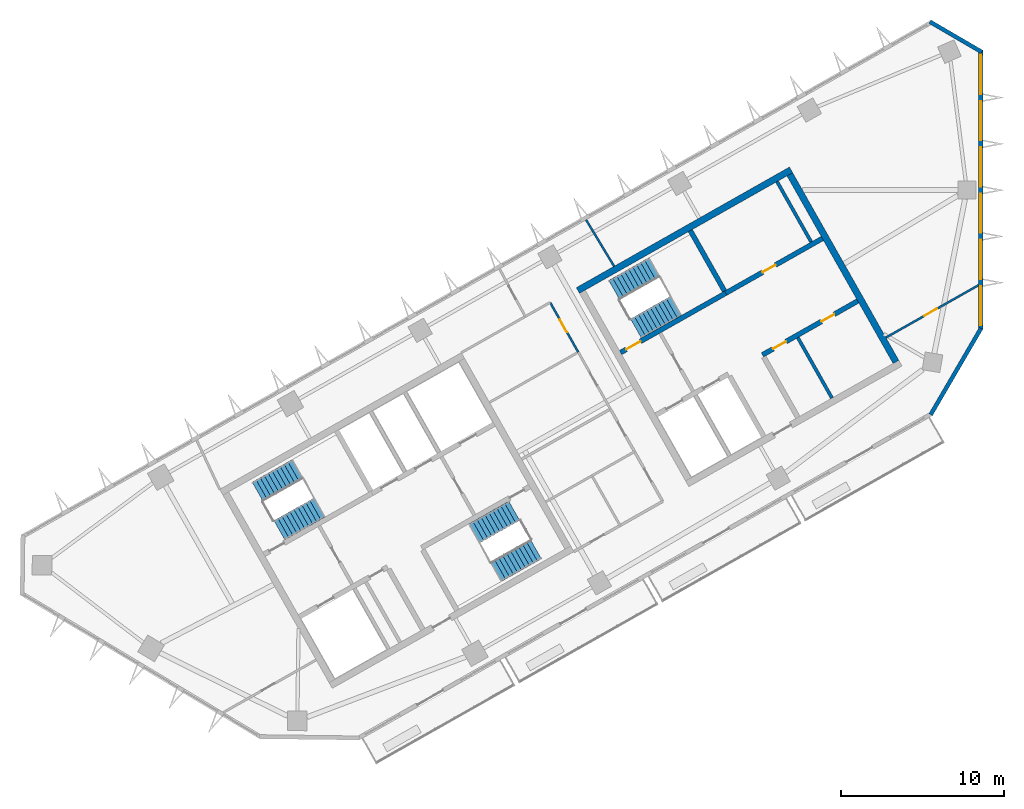
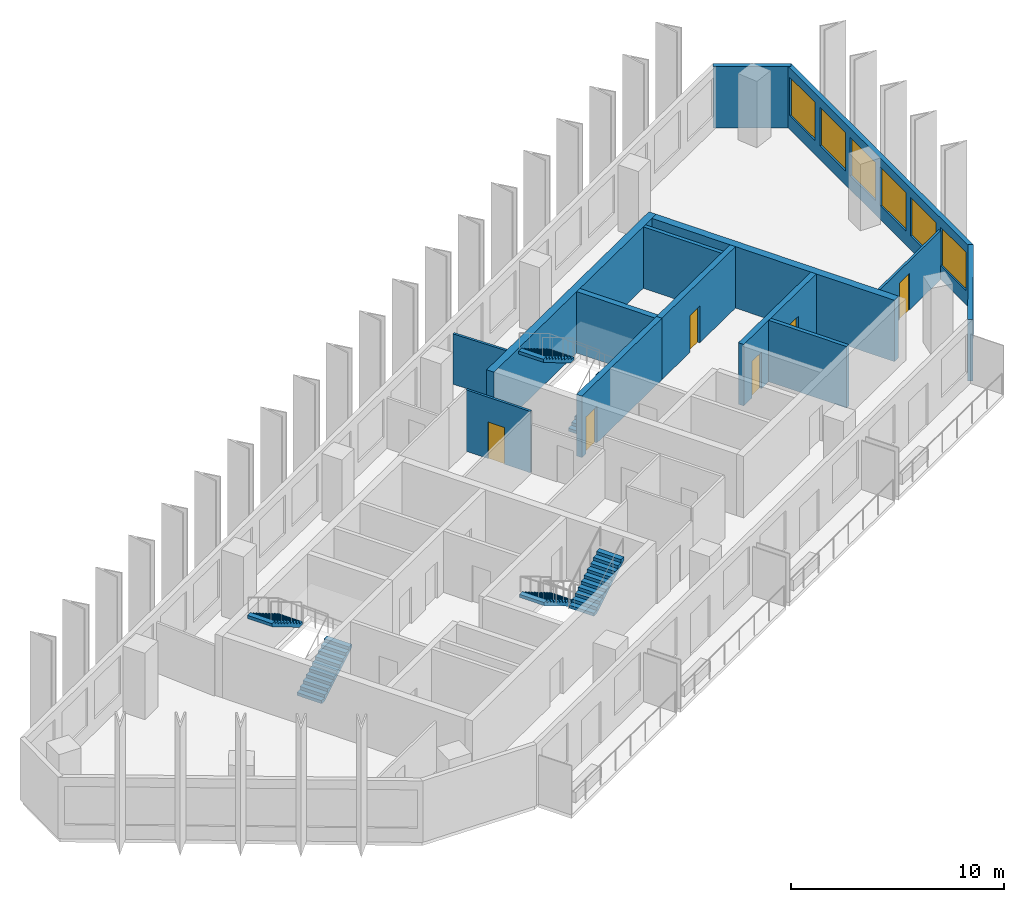
# One storey, part 5 of 8: 14 walls, 6 doors, 6 stair flights, 6 windows, 12 openings, 3 elements without a shape of their own.
"""IFC4 building model written with IfcOpenShell, lengths in metres."""

from ifc_helpers import new_model, si_unit, direction, frame, frame_2d, origin, place, context, subcontext, project, spatial, polyline, rectangle, outline, extrude, material, layer, layer_set, type_object, element, fill, aggregate, save


model = new_model("IFC4")

# Units and contexts
model_context = context("Model", 3, precision=1e-05, world=origin(), true_north=direction((0.0, 1.0)))
body_context = subcontext(model_context, "Body", "Model", "MODEL_VIEW")
ifc_project = project(units=[si_unit("LENGTHUNIT", "METRE"), si_unit("AREAUNIT", "SQUARE_METRE"), si_unit("VOLUMEUNIT", "CUBIC_METRE"), si_unit("PLANEANGLEUNIT", "RADIAN"), si_unit("MASSUNIT", "GRAM", prefix="KILO")], contexts=[model_context])

# Site, building, storey
site_placement = place(None, origin())
site = spatial("IfcSite", under=ifc_project, at=site_placement, CompositionType="ELEMENT")
building_placement = place(site_placement, origin())
building = spatial("IfcBuilding", under=site, at=building_placement, Name="Binnacle Exchange Tower", CompositionType="ELEMENT")
storey_placement = place(building_placement, frame((0.0, 0.0, 270.300048828125)))
storey = spatial("IfcBuildingStorey", under=building, at=storey_placement, Name="L60", CompositionType="ELEMENT", Elevation=270.300048828125)

# Wall
ifc_material_1 = material(Name="Gypsum partition fire rated")
ifc_layer_1 = layer(ifc_material_1, 0.199951171875)
ifc_layer_set_1 = layer_set([ifc_layer_1], Name="Core partition 200")
wall_type_1 = type_object("IfcWallType", Name="Core partition 200", PredefinedType="PARTITIONING", material=ifc_layer_set_1)
wall_1_placement = place(storey_placement, frame((-11.201904296875, 50.96240234375, 0.0), z_axis=(0.0, 0.0, 1.0), x_axis=(0.492441437811, -0.870345580977, 0.0)))
element("IfcWall", 1, at=wall_1_placement, inside=storey, type_object=wall_type_1, Name="Core wall CRWC19", PredefinedType="PARTITIONING", context=body_context, shape_type="SweptSolid", body=[
    extrude(rectangle(XDim=4.250244140625, YDim=0.199951171875, at=frame_2d((2.125, 0.0))), origin(), (0.0, 0.0, 1.0), 3.52001953125),
])

# Wall, openings, doors
ifc_material_2 = material(Name="Concrete C70/85", Category="concrete")
ifc_layer_2 = layer(ifc_material_2, 0.300048828125)
ifc_layer_set_2 = layer_set([ifc_layer_2], Name="Core wall - front 300")
wall_type_2 = type_object("IfcWallType", Name="Core wall - front 300", PredefinedType="SOLIDWALL", material=ifc_layer_set_2)
wall_2_placement = place(storey_placement, frame((-13.364501953125, 49.910888671875, 0.0), z_axis=(0.0, 0.0, 1.0), x_axis=(0.870347618718, 0.492437836272, 0.0)))
wall_2 = element("IfcWall", 2, at=wall_2_placement, inside=storey, type_object=wall_type_2, Name="Core wall CRWC3", PredefinedType="SOLIDWALL", context=body_context, shape_type="SweptSolid", body=[
    extrude(rectangle(XDim=6.699951171875, YDim=0.300048828125, at=frame_2d((3.35009765625, 0.0))), origin(), (0.0, 0.0, 1.0), 3.52001953125),
])
opening_1_placement = place(wall_2_placement, frame((0.75, 0.0, 0.0)))
opening_1 = element("IfcOpeningElement", 3, at=opening_1_placement, cuts=wall_2, Name="Opening DC18", PredefinedType="OPENING", context=body_context, shape_type="SweptSolid", body=[
    extrude(rectangle(XDim=0.89990234375, YDim=2.10009765625, at=frame_2d((0.449951171875, 1.050048828125))), frame((0.0, 0.159912109375, 0.0), z_axis=(0.0, -1.0, 0.0), x_axis=(1.0, 0.0, 0.0)), (0.0, 0.0, 1.0), 0.320068359375),
])
opening_2_placement = place(wall_2_placement, frame((4.14990234375, 0.0, 0.0)))
opening_2 = element("IfcOpeningElement", 4, at=opening_2_placement, cuts=wall_2, Name="Opening DC19", PredefinedType="OPENING", context=body_context, shape_type="SweptSolid", body=[
    extrude(rectangle(XDim=0.89990234375, YDim=2.10009765625, at=frame_2d((0.449951171875, 1.050048828125))), frame((0.0, 0.159912109375, 0.0), z_axis=(0.0, -1.0, 0.0), x_axis=(1.0, 0.0, 0.0)), (0.0, 0.0, 1.0), 0.320068359375),
])
ifc_material_3 = material(Name="Steel door leaf", Category="steel")
door_type_1 = type_object("IfcDoorType", Name="Fire door 900", OperationType="NOTDEFINED", PredefinedType="DOOR", material=ifc_material_3)
door_1_placement = place(opening_1_placement, frame((0.89990234375, 0.0, 0.0), z_axis=(0.0, 0.0, 1.0), x_axis=(-1.0, 0.0, 0.0)))
door_1 = element("IfcDoor", 5, at=door_1_placement, inside=storey, type_object=door_type_1, Name="Core room door FIBRE ENTRY ROOM", OperationType="SINGLE_SWING_RIGHT", OverallHeight=2.10009765625, OverallWidth=0.89990234375, PredefinedType="DOOR", context=body_context, shape_type="SweptSolid", body=[
    extrude(rectangle(XDim=0.89990234375, YDim=2.10009765625, at=frame_2d((0.449951171875, 1.050048828125))), frame((0.0, 0.02490234375, 0.0), z_axis=(0.0, -1.0, 0.0), x_axis=(1.0, 0.0, 0.0)), (0.0, 0.0, 1.0), 0.050048828125),
])
fill(opening_1, door_1)
door_2_placement = place(opening_2_placement, frame((0.89990234375, 0.0, 0.0), z_axis=(0.0, 0.0, 1.0), x_axis=(-1.0, 0.0, 0.0)))
door_2 = element("IfcDoor", 6, at=door_2_placement, inside=storey, type_object=door_type_1, Name="Core room door TELECOM RISER ROOM", OperationType="SINGLE_SWING_LEFT", OverallHeight=2.10009765625, OverallWidth=0.89990234375, PredefinedType="DOOR", context=body_context, shape_type="SweptSolid", body=[
    extrude(rectangle(XDim=0.89990234375, YDim=2.10009765625, at=frame_2d((0.449951171875, 1.050048828125))), frame((0.0, 0.02490234375, 0.0), z_axis=(0.0, -1.0, 0.0), x_axis=(1.0, 0.0, 0.0)), (0.0, 0.0, 1.0), 0.050048828125),
])
fill(opening_2, door_2)

# Wall, opening, door
wall_3_placement = place(storey_placement, frame((-15.6181640625, 53.69140625, 0.0), z_axis=(0.0, 0.0, 1.0), x_axis=(0.870362830851, 0.492410948978, 0.0)))
wall_3 = element("IfcWall", 7, at=wall_3_placement, inside=storey, type_object=wall_type_2, Name="Core wall CRWC5", PredefinedType="SOLIDWALL", context=body_context, shape_type="SweptSolid", body=[
    extrude(rectangle(XDim=6.800048828125, YDim=0.300048828125, at=frame_2d((3.39990234375, 0.0))), origin(), (0.0, 0.0, 1.0), 3.52001953125),
])
opening_3_placement = place(wall_3_placement, frame((2.60009765625, 0.0, 0.0)))
opening_3 = element("IfcOpeningElement", 8, at=opening_3_placement, cuts=wall_3, Name="Opening DC10", PredefinedType="OPENING", context=body_context, shape_type="SweptSolid", body=[
    extrude(rectangle(XDim=0.89990234375, YDim=2.10009765625, at=frame_2d((0.449951171875, 1.050048828125))), frame((0.0, 0.159912109375, 0.0), z_axis=(0.0, -1.0, 0.0), x_axis=(1.0, 0.0, 0.0)), (0.0, 0.0, 1.0), 0.320068359375),
])
door_3_placement = place(opening_3_placement, origin())
door_3 = element("IfcDoor", 9, at=door_3_placement, inside=storey, type_object=door_type_1, Name="Core room door WORKSHOP STORE", OperationType="SINGLE_SWING_LEFT", OverallHeight=2.10009765625, OverallWidth=0.89990234375, PredefinedType="DOOR", context=body_context, shape_type="SweptSolid", body=[
    extrude(rectangle(XDim=0.89990234375, YDim=2.10009765625, at=frame_2d((0.449951171875, 1.050048828125))), frame((0.0, 0.02490234375, 0.0), z_axis=(0.0, -1.0, 0.0), x_axis=(1.0, 0.0, 0.0)), (0.0, 0.0, 1.0), 0.050048828125),
])
fill(opening_3, door_3)

# Walls
ifc_layer_3 = layer(ifc_material_2, 0.39990234375)
ifc_layer_set_3 = layer_set([ifc_layer_3], Name="Core wall - outer 400")
wall_type_3 = type_object("IfcWallType", Name="Core wall - outer 400", PredefinedType="SOLIDWALL", material=ifc_layer_set_3)
wall_4_placement = place(storey_placement, frame((-24.672119140625, 53.85400390625, 0.0), z_axis=(0.0, 0.0, 1.0), x_axis=(0.870353598469, 0.492427267353, 0.0)))
element("IfcWall", 10, at=wall_4_placement, inside=storey, type_object=wall_type_3, Name="Core wall CRWC6", PredefinedType="SOLIDWALL", context=body_context, shape_type="SweptSolid", body=[
    extrude(rectangle(XDim=15.000244140625, YDim=0.39990234375, at=frame_2d((7.5, 0.0))), origin(), (0.0, 0.0, 1.0), 3.52001953125),
])
wall_5_placement = place(storey_placement, frame((-11.6923828125, 60.968017578125, 0.0), z_axis=(0.0, 0.0, 1.0), x_axis=(0.492421663121, -0.870356769198, 0.0)))
element("IfcWall", 11, at=wall_5_placement, inside=storey, type_object=wall_type_3, Name="Core wall CRWC24", PredefinedType="SOLIDWALL", context=body_context, shape_type="SweptSolid", body=[
    extrude(rectangle(XDim=13.199951171875, YDim=0.39990234375, at=frame_2d((6.60009765625, 0.0))), origin(), (0.0, 0.0, 1.0), 3.52001953125),
])

# Wall, opening, door
ifc_layer_4 = layer(ifc_material_2, 0.300048828125)
ifc_layer_set_4 = layer_set([ifc_layer_4], Name="Core wall - stair 300")
wall_type_4 = type_object("IfcWallType", Name="Core wall - stair 300", PredefinedType="SOLIDWALL", material=ifc_layer_set_4)
wall_6_placement = place(storey_placement, frame((-22.058837890625, 50.04736328125, 0.0), z_axis=(0.0, 0.0, 1.0), x_axis=(0.87035077051, 0.49243226567, 0.0)))
wall_6 = element("IfcWall", 12, at=wall_6_placement, inside=storey, type_object=wall_type_4, Name="Core wall CRWC4", PredefinedType="SOLIDWALL", context=body_context, shape_type="SweptSolid", body=[
    extrude(rectangle(XDim=7.400146484375, YDim=0.300048828125, at=frame_2d((3.7001953125, 0.0))), origin(), (0.0, 0.0, 1.0), 3.52001953125),
])
opening_4_placement = place(wall_6_placement, frame((0.39990234375, 0.0, 0.0)))
opening_4 = element("IfcOpeningElement", 13, at=opening_4_placement, cuts=wall_6, Name="Opening DC1", PredefinedType="OPENING", context=body_context, shape_type="SweptSolid", body=[
    extrude(rectangle(XDim=1.0, YDim=2.10009765625, at=frame_2d((0.5, 1.050048828125))), frame((0.0, 0.159912109375, 0.0), z_axis=(0.0, -1.0, 0.0), x_axis=(1.0, 0.0, 0.0)), (0.0, 0.0, 1.0), 0.320068359375),
])
door_type_2 = type_object("IfcDoorType", Name="Fire door 1000", OperationType="NOTDEFINED", PredefinedType="DOOR", material=ifc_material_3)
door_4_placement = place(opening_4_placement, origin())
door_4 = element("IfcDoor", 14, at=door_4_placement, inside=storey, type_object=door_type_2, Name="Stair door ST-C1", OperationType="SINGLE_SWING_LEFT", OverallHeight=2.10009765625, OverallWidth=1.0, PredefinedType="DOOR", context=body_context, shape_type="SweptSolid", body=[
    extrude(rectangle(XDim=1.0, YDim=2.10009765625, at=frame_2d((0.5, 1.050048828125))), frame((0.0, 0.02490234375, 0.0), z_axis=(0.0, -1.0, 0.0), x_axis=(1.0, 0.0, 0.0)), (0.0, 0.0, 1.0), 0.050048828125),
])
fill(opening_4, door_4)

# Walls
wall_7_placement = place(storey_placement, frame((-17.784912109375, 57.52099609375, 0.0), z_axis=(0.0, 0.0, 1.0), x_axis=(0.492422543467, -0.870356271124, 0.0)))
element("IfcWall", 15, at=wall_7_placement, inside=storey, type_object=wall_type_4, Name="Core wall CRWC14", PredefinedType="SOLIDWALL", context=body_context, shape_type="SweptSolid", body=[
    extrude(rectangle(XDim=4.25, YDim=0.300048828125, at=frame_2d((2.125, 0.0))), origin(), (0.0, 0.0, 1.0), 3.52001953125),
])
ifc_material_4 = material(Name="Bronze aluminium cladding", Category="aluminium")
ifc_layer_5 = layer(ifc_material_4, 0.25)
ifc_layer_set_5 = layer_set([ifc_layer_5], Name="External wall - window wall 250")
wall_type_5 = type_object("IfcWallType", Name="External wall - window wall 250", PredefinedType="STANDARD", material=ifc_layer_set_5)
wall_8_placement = place(storey_placement, frame((0.01708984375, 51.529296875, 0.0), z_axis=(0.0, 0.0, 1.0), x_axis=(-0.503769237131, -0.863838269424, 0.0)))
element("IfcWall", 16, at=wall_8_placement, inside=storey, type_object=wall_type_5, Name="External wall EW-H00 L60", PredefinedType="STANDARD", context=body_context, shape_type="SweptSolid", body=[
    extrude(rectangle(XDim=6.114501953125, YDim=0.25, at=frame_2d((3.05712890625, 0.0))), origin(), (0.0, 0.0, 1.0), 3.52001953125),
])

# Wall, openings, windows
wall_9_placement = place(storey_placement, frame((0.0, 68.57177734375, 0.0), z_axis=(0.0, 0.0, 1.0), x_axis=(0.0, -1.0, 0.0)))
wall_9 = element("IfcWall", 17, at=wall_9_placement, inside=storey, type_object=wall_type_5, Name="External wall EW-H01 L60", PredefinedType="STANDARD", context=body_context, shape_type="SweptSolid", body=[
    extrude(rectangle(XDim=17.10546875, YDim=0.25, at=frame_2d((8.552734375, 0.0))), origin(), (0.0, 0.0, 1.0), 3.52001953125),
])
opening_5_placement = place(wall_9_placement, frame((14.455078125, 0.0, 0.800048828125)))
opening_5 = element("IfcOpeningElement", 18, at=opening_5_placement, cuts=wall_9, Name="Opening WR2", PredefinedType="OPENING", context=body_context, shape_type="SweptSolid", body=[
    extrude(rectangle(XDim=2.39990234375, YDim=2.199951171875, at=frame_2d((1.199951171875, 1.10009765625))), frame((0.0, 0.135009765625, 0.0), z_axis=(0.0, -1.0, 0.0), x_axis=(1.0, 0.0, 0.0)), (0.0, 0.0, 1.0), 0.27001953125),
])
opening_6_placement = place(wall_9_placement, frame((11.621826171875, 0.0, 0.800048828125)))
opening_6 = element("IfcOpeningElement", 19, at=opening_6_placement, cuts=wall_9, Name="Opening WR2", PredefinedType="OPENING", context=body_context, shape_type="SweptSolid", body=[
    extrude(rectangle(XDim=2.39990234375, YDim=2.199951171875, at=frame_2d((1.199951171875, 1.10009765625))), frame((0.0, 0.135009765625, 0.0), z_axis=(0.0, -1.0, 0.0), x_axis=(1.0, 0.0, 0.0)), (0.0, 0.0, 1.0), 0.27001953125),
])
opening_7_placement = place(wall_9_placement, frame((8.78857421875, 0.0, 0.800048828125)))
opening_7 = element("IfcOpeningElement", 20, at=opening_7_placement, cuts=wall_9, Name="Opening WR2", PredefinedType="OPENING", context=body_context, shape_type="SweptSolid", body=[
    extrude(rectangle(XDim=2.39990234375, YDim=2.199951171875, at=frame_2d((1.199951171875, 1.10009765625))), frame((0.0, 0.135009765625, 0.0), z_axis=(0.0, -1.0, 0.0), x_axis=(1.0, 0.0, 0.0)), (0.0, 0.0, 1.0), 0.27001953125),
])
opening_8_placement = place(wall_9_placement, frame((5.955078125, 0.0, 0.800048828125)))
opening_8 = element("IfcOpeningElement", 21, at=opening_8_placement, cuts=wall_9, Name="Opening WR2", PredefinedType="OPENING", context=body_context, shape_type="SweptSolid", body=[
    extrude(rectangle(XDim=2.39990234375, YDim=2.199951171875, at=frame_2d((1.199951171875, 1.10009765625))), frame((0.0, 0.135009765625, 0.0), z_axis=(0.0, -1.0, 0.0), x_axis=(1.0, 0.0, 0.0)), (0.0, 0.0, 1.0), 0.27001953125),
])
opening_9_placement = place(wall_9_placement, frame((3.121826171875, 0.0, 0.800048828125)))
opening_9 = element("IfcOpeningElement", 22, at=opening_9_placement, cuts=wall_9, Name="Opening WR2", PredefinedType="OPENING", context=body_context, shape_type="SweptSolid", body=[
    extrude(rectangle(XDim=2.39990234375, YDim=2.199951171875, at=frame_2d((1.199951171875, 1.10009765625))), frame((0.0, 0.135009765625, 0.0), z_axis=(0.0, -1.0, 0.0), x_axis=(1.0, 0.0, 0.0)), (0.0, 0.0, 1.0), 0.27001953125),
])
opening_10_placement = place(wall_9_placement, frame((0.28857421875, 0.0, 0.800048828125)))
opening_10 = element("IfcOpeningElement", 23, at=opening_10_placement, cuts=wall_9, Name="Opening WR2", PredefinedType="OPENING", context=body_context, shape_type="SweptSolid", body=[
    extrude(rectangle(XDim=2.39990234375, YDim=2.199951171875, at=frame_2d((1.199951171875, 1.10009765625))), frame((0.0, 0.135009765625, 0.0), z_axis=(0.0, -1.0, 0.0), x_axis=(1.0, 0.0, 0.0)), (0.0, 0.0, 1.0), 0.27001953125),
])
ifc_material_5 = material(Name="Bronze anodised aluminium frame", Category="aluminium")
window_type = type_object("IfcWindowType", Name="WR2 WINDOW 2400x2200", PartitioningType="SINGLE_PANEL", PredefinedType="WINDOW", material=ifc_material_5)
window_1_placement = place(opening_5_placement, origin())
window_1 = element("IfcWindow", 24, at=window_1_placement, inside=storey, type_object=window_type, Name="Window WR2 L60", OverallHeight=2.199951171875, OverallWidth=2.39990234375, PartitioningType="SINGLE_PANEL", PredefinedType="WINDOW", context=body_context, shape_type="SweptSolid", body=[
    extrude(rectangle(XDim=2.39990234375, YDim=2.199951171875, at=frame_2d((1.199951171875, 1.10009765625))), frame((0.0, 0.030029296875, 0.0), z_axis=(0.0, -1.0, 0.0), x_axis=(1.0, 0.0, 0.0)), (0.0, 0.0, 1.0), 0.06005859375),
])
fill(opening_5, window_1)
window_2_placement = place(opening_6_placement, origin())
window_2 = element("IfcWindow", 25, at=window_2_placement, inside=storey, type_object=window_type, Name="Window WR2 L60", OverallHeight=2.199951171875, OverallWidth=2.39990234375, PartitioningType="SINGLE_PANEL", PredefinedType="WINDOW", context=body_context, shape_type="SweptSolid", body=[
    extrude(rectangle(XDim=2.39990234375, YDim=2.199951171875, at=frame_2d((1.199951171875, 1.10009765625))), frame((0.0, 0.030029296875, 0.0), z_axis=(0.0, -1.0, 0.0), x_axis=(1.0, 0.0, 0.0)), (0.0, 0.0, 1.0), 0.06005859375),
])
fill(opening_6, window_2)
window_3_placement = place(opening_7_placement, origin())
window_3 = element("IfcWindow", 26, at=window_3_placement, inside=storey, type_object=window_type, Name="Window WR2 L60", OverallHeight=2.199951171875, OverallWidth=2.39990234375, PartitioningType="SINGLE_PANEL", PredefinedType="WINDOW", context=body_context, shape_type="SweptSolid", body=[
    extrude(rectangle(XDim=2.39990234375, YDim=2.199951171875, at=frame_2d((1.199951171875, 1.10009765625))), frame((0.0, 0.030029296875, 0.0), z_axis=(0.0, -1.0, 0.0), x_axis=(1.0, 0.0, 0.0)), (0.0, 0.0, 1.0), 0.06005859375),
])
fill(opening_7, window_3)
window_4_placement = place(opening_8_placement, origin())
window_4 = element("IfcWindow", 27, at=window_4_placement, inside=storey, type_object=window_type, Name="Window WR2 L60", OverallHeight=2.199951171875, OverallWidth=2.39990234375, PartitioningType="SINGLE_PANEL", PredefinedType="WINDOW", context=body_context, shape_type="SweptSolid", body=[
    extrude(rectangle(XDim=2.39990234375, YDim=2.199951171875, at=frame_2d((1.199951171875, 1.10009765625))), frame((0.0, 0.030029296875, 0.0), z_axis=(0.0, -1.0, 0.0), x_axis=(1.0, 0.0, 0.0)), (0.0, 0.0, 1.0), 0.06005859375),
])
fill(opening_8, window_4)
window_5_placement = place(opening_9_placement, origin())
window_5 = element("IfcWindow", 28, at=window_5_placement, inside=storey, type_object=window_type, Name="Window WR2 L60", OverallHeight=2.199951171875, OverallWidth=2.39990234375, PartitioningType="SINGLE_PANEL", PredefinedType="WINDOW", context=body_context, shape_type="SweptSolid", body=[
    extrude(rectangle(XDim=2.39990234375, YDim=2.199951171875, at=frame_2d((1.199951171875, 1.10009765625))), frame((0.0, 0.030029296875, 0.0), z_axis=(0.0, -1.0, 0.0), x_axis=(1.0, 0.0, 0.0)), (0.0, 0.0, 1.0), 0.06005859375),
])
fill(opening_9, window_5)
window_6_placement = place(opening_10_placement, origin())
window_6 = element("IfcWindow", 29, at=window_6_placement, inside=storey, type_object=window_type, Name="Window WR2 L60", OverallHeight=2.199951171875, OverallWidth=2.39990234375, PartitioningType="SINGLE_PANEL", PredefinedType="WINDOW", context=body_context, shape_type="SweptSolid", body=[
    extrude(rectangle(XDim=2.39990234375, YDim=2.199951171875, at=frame_2d((1.199951171875, 1.10009765625))), frame((0.0, 0.030029296875, 0.0), z_axis=(0.0, -1.0, 0.0), x_axis=(1.0, 0.0, 0.0)), (0.0, 0.0, 1.0), 0.06005859375),
])
fill(opening_10, window_6)

# Wall
wall_10_placement = place(storey_placement, frame((-3.108154296875, 70.312744140625, 0.0), z_axis=(0.0, 0.0, 1.0), x_axis=(0.86382474085, -0.503792434536, 0.0)))
element("IfcWall", 30, at=wall_10_placement, inside=storey, type_object=wall_type_5, Name="External wall EW-H02 L60", PredefinedType="STANDARD", context=body_context, shape_type="SweptSolid", body=[
    extrude(rectangle(XDim=3.669921875, YDim=0.25, at=frame_2d((1.8349609375, 0.0))), origin(), (0.0, 0.0, 1.0), 3.52001953125),
])

# Wall, opening, door
ifc_material_6 = material(Name="Gypsum partition")
ifc_layer_6 = layer(ifc_material_6, 0.125)
ifc_layer_set_6 = layer_set([ifc_layer_6], Name="Partition 125")
wall_type_6 = type_object("IfcWallType", Name="Partition 125", PredefinedType="PARTITIONING", material=ifc_layer_set_6)
wall_11_placement = place(storey_placement, frame((-26.373046875, 53.1220703125, 0.0), z_axis=(0.0, 0.0, 1.0), x_axis=(0.492454723656, -0.870338063714, 0.0)))
wall_11 = element("IfcWall", 31, at=wall_11_placement, inside=storey, type_object=wall_type_6, Name="Partition W09", PredefinedType="PARTITIONING", context=body_context, shape_type="SweptSolid", body=[
    extrude(rectangle(XDim=3.5009765625, YDim=0.125, at=frame_2d((1.75048828125, 0.0))), origin(), (0.0, 0.0, 1.0), 3.52001953125),
])
opening_11_placement = place(wall_11_placement, frame((1.199951171875, 0.0, 0.0)))
opening_11 = element("IfcOpeningElement", 32, at=opening_11_placement, cuts=wall_11, Name="Opening DL58-07", PredefinedType="OPENING", context=body_context, shape_type="SweptSolid", body=[
    extrude(rectangle(XDim=0.89990234375, YDim=2.10009765625, at=frame_2d((0.449951171875, 1.050048828125))), frame((0.0, 0.072509765625, 0.0), z_axis=(0.0, -1.0, 0.0), x_axis=(1.0, 0.0, 0.0)), (0.0, 0.0, 1.0), 0.14501953125),
])
ifc_material_7 = material(Name="Timber door leaf", Category="wood")
door_type_3 = type_object("IfcDoorType", Name="Door 900", OperationType="NOTDEFINED", PredefinedType="DOOR", material=ifc_material_7)
door_5_placement = place(opening_11_placement, frame((0.89990234375, 0.0, 0.0), z_axis=(0.0, 0.0, 1.0), x_axis=(-1.0, 0.0, 0.0)))
door_5 = element("IfcDoor", 33, at=door_5_placement, inside=storey, type_object=door_type_3, Name="Door DL58-07", OperationType="SINGLE_SWING_RIGHT", OverallHeight=2.10009765625, OverallWidth=0.89990234375, PredefinedType="DOOR", context=body_context, shape_type="SweptSolid", body=[
    extrude(rectangle(XDim=0.89990234375, YDim=2.10009765625, at=frame_2d((0.449951171875, 1.050048828125))), frame((0.0, 0.02490234375, 0.0), z_axis=(0.0, -1.0, 0.0), x_axis=(1.0, 0.0, 0.0)), (0.0, 0.0, 1.0), 0.050048828125),
])
fill(opening_11, door_5)

# Wall
wall_12_placement = place(storey_placement, frame((-24.1708984375, 58.180908203125, 0.0), z_axis=(0.0, 0.0, 1.0), x_axis=(0.516494881882, -0.856290276127, 0.0)))
element("IfcWall", 34, at=wall_12_placement, inside=storey, type_object=wall_type_6, Name="Partition W12", PredefinedType="PARTITIONING", context=body_context, shape_type="SweptSolid", body=[
    extrude(rectangle(XDim=3.320068359375, YDim=0.125, at=frame_2d((1.66015625, 0.0))), origin(), (0.0, 0.0, 1.0), 2.887939453125),
])

# Wall, opening, door
wall_13_placement = place(storey_placement, frame((-5.805908203125, 50.969970703125, 0.0), z_axis=(0.0, 0.0, 1.0), x_axis=(0.870355163327, 0.492424501492, 0.0)))
wall_13 = element("IfcWall", 35, at=wall_13_placement, inside=storey, type_object=wall_type_6, Name="Partition W18", PredefinedType="PARTITIONING", context=body_context, shape_type="SweptSolid", body=[
    extrude(rectangle(XDim=6.527099609375, YDim=0.125, at=frame_2d((3.263671875, 0.0))), origin(), (0.0, 0.0, 1.0), 2.800048828125),
])
opening_12_placement = place(wall_13_placement, frame((2.699951171875, 0.0, 0.0)))
opening_12 = element("IfcOpeningElement", 36, at=opening_12_placement, cuts=wall_13, Name="Opening DL58-08", PredefinedType="OPENING", context=body_context, shape_type="SweptSolid", body=[
    extrude(rectangle(XDim=0.89990234375, YDim=2.10009765625, at=frame_2d((0.449951171875, 1.050048828125))), frame((0.0, 0.072509765625, 0.0), z_axis=(0.0, -1.0, 0.0), x_axis=(1.0, 0.0, 0.0)), (0.0, 0.0, 1.0), 0.14501953125),
])
door_6_placement = place(opening_12_placement, origin())
door_6 = element("IfcDoor", 37, at=door_6_placement, inside=storey, type_object=door_type_3, Name="Door DL58-08", OperationType="SINGLE_SWING_LEFT", OverallHeight=2.10009765625, OverallWidth=0.89990234375, PredefinedType="DOOR", context=body_context, shape_type="SweptSolid", body=[
    extrude(rectangle(XDim=0.89990234375, YDim=2.10009765625, at=frame_2d((0.449951171875, 1.050048828125))), frame((0.0, 0.02490234375, 0.0), z_axis=(0.0, -1.0, 0.0), x_axis=(1.0, 0.0, 0.0)), (0.0, 0.0, 1.0), 0.050048828125),
])
fill(opening_12, door_6)

# Wall
ifc_material_8 = material(Name="Masonry block wall", Category="masonry")
ifc_layer_7 = layer(ifc_material_8, 0.199951171875)
ifc_layer_set_7 = layer_set([ifc_layer_7], Name="Riser wall 200")
wall_type_7 = type_object("IfcWallType", Name="Riser wall 200", PredefinedType="SOLIDWALL", material=ifc_layer_set_7)
wall_14_placement = place(storey_placement, frame((-12.4755859375, 60.524658203125, 0.0), z_axis=(0.0, 0.0, 1.0), x_axis=(0.492422543467, -0.870356271124, 0.0)))
element("IfcWall", 38, at=wall_14_placement, inside=storey, type_object=wall_type_7, Name="Core wall CRWC23", PredefinedType="SOLIDWALL", context=body_context, shape_type="SweptSolid", body=[
    extrude(rectangle(XDim=4.25, YDim=0.199951171875, at=frame_2d((2.125, 0.0))), origin(), (0.0, 0.0, 1.0), 3.52001953125),
])

# Stair, stair flights
ifc_material_9 = material(Name="Concrete C35/45", Category="concrete")
stair_type = type_object("IfcStairType", Name="STAIR 22 RISERS 173", PredefinedType="HALF_TURN_STAIR", material=ifc_material_9)
stair_1_placement = place(storey_placement, origin())
stair_1 = element("IfcStair", 39, at=stair_1_placement, inside=storey, type_object=stair_type, Name="L60 Escape stair A1", PredefinedType="HALF_TURN_STAIR")
stair_flight_type = type_object("IfcStairFlightType", Name="STAIR FLIGHT 173X280", PredefinedType="STRAIGHT", material=ifc_material_9)
stair_flight_1_placement = place(storey_placement, frame((-42.9541015625, 39.17333984375, 0.0), z_axis=(0.0, 0.0, 1.0), x_axis=(0.870355584213, 0.492423757581, 0.0)))
stair_flight_1 = element("IfcStairFlight", 40, at=stair_flight_1_placement, type_object=stair_flight_type, Name="STA1 flight 1", NumberOfRisers=11, NumberOfTreads=10, PredefinedType="STRAIGHT", RiserHeight=0.172727273, TreadLength=0.28, context=body_context, shape_type="SweptSolid", body=[
    extrude(outline(polyline([(0.0, 0.0), (0.0, 0.172607421875), (0.280029296875, 0.172607421875), (0.280029296875, 0.345458984375), (0.56005859375, 0.345458984375), (0.56005859375, 0.51806640625), (0.840087890625, 0.51806640625), (0.840087890625, 0.69091796875), (1.1201171875, 0.69091796875), (1.1201171875, 0.863525390625), (1.39990234375, 0.863525390625), (1.39990234375, 1.036376953125), (1.679931640625, 1.036376953125), (1.679931640625, 1.208984375), (1.9599609375, 1.208984375), (1.9599609375, 1.3818359375), (2.239990234375, 1.3818359375), (2.239990234375, 1.554443359375), (2.52001953125, 1.554443359375), (2.52001953125, 1.727294921875), (2.800048828125, 1.727294921875), (2.800048828125, 1.89990234375), (2.800048828125, 1.551025390625), (0.285400390625, 0.0), (0.0, 0.0)])), frame((0.0, 0.675048828125, 0.0), z_axis=(0.0, -1.0, 0.0), x_axis=(1.0, 0.0, 0.0)), (0.0, 0.0, 1.0), 1.35009765625),
])
stair_flight_2_placement = place(storey_placement, frame((-41.846435546875, 42.902099609375, 1.89990234375), z_axis=(0.0, 0.0, 1.0), x_axis=(-0.870355584213, -0.492423757581, 0.0)))
stair_flight_2 = element("IfcStairFlight", 41, at=stair_flight_2_placement, type_object=stair_flight_type, Name="STA1 flight 2", NumberOfRisers=11, NumberOfTreads=10, PredefinedType="STRAIGHT", RiserHeight=0.172727273, TreadLength=0.28, context=body_context, shape_type="SweptSolid", body=[
    extrude(outline(polyline([(0.0, 0.0), (0.0, 0.172607421875), (0.280029296875, 0.172607421875), (0.280029296875, 0.345458984375), (0.56005859375, 0.345458984375), (0.56005859375, 0.51806640625), (0.840087890625, 0.51806640625), (0.840087890625, 0.69091796875), (1.1201171875, 0.69091796875), (1.1201171875, 0.863525390625), (1.39990234375, 0.863525390625), (1.39990234375, 1.036376953125), (1.679931640625, 1.036376953125), (1.679931640625, 1.208984375), (1.9599609375, 1.208984375), (1.9599609375, 1.3818359375), (2.239990234375, 1.3818359375), (2.239990234375, 1.554443359375), (2.52001953125, 1.554443359375), (2.52001953125, 1.727294921875), (2.800048828125, 1.727294921875), (2.800048828125, 1.89990234375), (2.800048828125, 1.551025390625), (0.285400390625, 0.0), (0.0, 0.0)])), frame((0.0, 0.675048828125, 0.0), z_axis=(0.0, -1.0, 0.0), x_axis=(1.0, 0.0, 0.0)), (0.0, 0.0, 1.0), 1.35009765625),
])
aggregate(stair_1, [stair_flight_1, stair_flight_2])

stair_2_placement = place(storey_placement, origin())
stair_2 = element("IfcStair", 42, at=stair_2_placement, inside=storey, type_object=stair_type, Name="L60 Escape stair A2", PredefinedType="HALF_TURN_STAIR")
stair_flight_3_placement = place(storey_placement, frame((-28.5732421875, 40.3583984375, 0.0), z_axis=(0.0, 0.0, 1.0), x_axis=(-0.870355584213, -0.492423757581, 0.0)))
stair_flight_3 = element("IfcStairFlight", 43, at=stair_flight_3_placement, type_object=stair_flight_type, Name="STA2 flight 1", NumberOfRisers=11, NumberOfTreads=10, PredefinedType="STRAIGHT", RiserHeight=0.172727273, TreadLength=0.28, context=body_context, shape_type="SweptSolid", body=[
    extrude(outline(polyline([(0.0, 0.0), (0.0, 0.172607421875), (0.280029296875, 0.172607421875), (0.280029296875, 0.345458984375), (0.56005859375, 0.345458984375), (0.56005859375, 0.51806640625), (0.840087890625, 0.51806640625), (0.840087890625, 0.69091796875), (1.1201171875, 0.69091796875), (1.1201171875, 0.863525390625), (1.39990234375, 0.863525390625), (1.39990234375, 1.036376953125), (1.679931640625, 1.036376953125), (1.679931640625, 1.208984375), (1.9599609375, 1.208984375), (1.9599609375, 1.3818359375), (2.239990234375, 1.3818359375), (2.239990234375, 1.554443359375), (2.52001953125, 1.554443359375), (2.52001953125, 1.727294921875), (2.800048828125, 1.727294921875), (2.800048828125, 1.89990234375), (2.800048828125, 1.551025390625), (0.285400390625, 0.0), (0.0, 0.0)])), frame((0.0, 0.675048828125, 0.0), z_axis=(0.0, -1.0, 0.0), x_axis=(1.0, 0.0, 0.0)), (0.0, 0.0, 1.0), 1.35009765625),
])
stair_flight_4_placement = place(storey_placement, frame((-29.6806640625, 36.629638671875, 1.89990234375), z_axis=(0.0, 0.0, 1.0), x_axis=(0.870355584213, 0.492423757581, 0.0)))
stair_flight_4 = element("IfcStairFlight", 44, at=stair_flight_4_placement, type_object=stair_flight_type, Name="STA2 flight 2", NumberOfRisers=11, NumberOfTreads=10, PredefinedType="STRAIGHT", RiserHeight=0.172727273, TreadLength=0.28, context=body_context, shape_type="SweptSolid", body=[
    extrude(outline(polyline([(0.0, 0.0), (0.0, 0.172607421875), (0.280029296875, 0.172607421875), (0.280029296875, 0.345458984375), (0.56005859375, 0.345458984375), (0.56005859375, 0.51806640625), (0.840087890625, 0.51806640625), (0.840087890625, 0.69091796875), (1.1201171875, 0.69091796875), (1.1201171875, 0.863525390625), (1.39990234375, 0.863525390625), (1.39990234375, 1.036376953125), (1.679931640625, 1.036376953125), (1.679931640625, 1.208984375), (1.9599609375, 1.208984375), (1.9599609375, 1.3818359375), (2.239990234375, 1.3818359375), (2.239990234375, 1.554443359375), (2.52001953125, 1.554443359375), (2.52001953125, 1.727294921875), (2.800048828125, 1.727294921875), (2.800048828125, 1.89990234375), (2.800048828125, 1.551025390625), (0.285400390625, 0.0), (0.0, 0.0)])), frame((0.0, 0.675048828125, 0.0), z_axis=(0.0, -1.0, 0.0), x_axis=(1.0, 0.0, 0.0)), (0.0, 0.0, 1.0), 1.35009765625),
])
aggregate(stair_2, [stair_flight_3, stair_flight_4])

stair_3_placement = place(storey_placement, origin())
stair_3 = element("IfcStair", 45, at=stair_3_placement, inside=storey, type_object=stair_type, Name="L60 Escape stair C1", PredefinedType="HALF_TURN_STAIR")
stair_flight_5_placement = place(storey_placement, frame((-21.115966796875, 51.528564453125, 0.0), z_axis=(0.0, 0.0, 1.0), x_axis=(0.870355584213, 0.492423757581, 0.0)))
stair_flight_5 = element("IfcStairFlight", 46, at=stair_flight_5_placement, type_object=stair_flight_type, Name="STC1 flight 1", NumberOfRisers=11, NumberOfTreads=10, PredefinedType="STRAIGHT", RiserHeight=0.172727273, TreadLength=0.28, context=body_context, shape_type="SweptSolid", body=[
    extrude(outline(polyline([(0.0, 0.0), (0.0, 0.172607421875), (0.280029296875, 0.172607421875), (0.280029296875, 0.345458984375), (0.56005859375, 0.345458984375), (0.56005859375, 0.51806640625), (0.840087890625, 0.51806640625), (0.840087890625, 0.69091796875), (1.1201171875, 0.69091796875), (1.1201171875, 0.863525390625), (1.39990234375, 0.863525390625), (1.39990234375, 1.036376953125), (1.679931640625, 1.036376953125), (1.679931640625, 1.208984375), (1.9599609375, 1.208984375), (1.9599609375, 1.3818359375), (2.239990234375, 1.3818359375), (2.239990234375, 1.554443359375), (2.52001953125, 1.554443359375), (2.52001953125, 1.727294921875), (2.800048828125, 1.727294921875), (2.800048828125, 1.89990234375), (2.800048828125, 1.551025390625), (0.285400390625, 0.0), (0.0, 0.0)])), frame((0.0, 0.675048828125, 0.0), z_axis=(0.0, -1.0, 0.0), x_axis=(1.0, 0.0, 0.0)), (0.0, 0.0, 1.0), 1.35009765625),
])
stair_flight_6_placement = place(storey_placement, frame((-20.008544921875, 55.25732421875, 1.89990234375), z_axis=(0.0, 0.0, 1.0), x_axis=(-0.870355584213, -0.492423757581, 0.0)))
stair_flight_6 = element("IfcStairFlight", 47, at=stair_flight_6_placement, type_object=stair_flight_type, Name="STC1 flight 2", NumberOfRisers=11, NumberOfTreads=10, PredefinedType="STRAIGHT", RiserHeight=0.172727273, TreadLength=0.28, context=body_context, shape_type="SweptSolid", body=[
    extrude(outline(polyline([(0.0, 0.0), (0.0, 0.172607421875), (0.280029296875, 0.172607421875), (0.280029296875, 0.345458984375), (0.56005859375, 0.345458984375), (0.56005859375, 0.51806640625), (0.840087890625, 0.51806640625), (0.840087890625, 0.69091796875), (1.1201171875, 0.69091796875), (1.1201171875, 0.863525390625), (1.39990234375, 0.863525390625), (1.39990234375, 1.036376953125), (1.679931640625, 1.036376953125), (1.679931640625, 1.208984375), (1.9599609375, 1.208984375), (1.9599609375, 1.3818359375), (2.239990234375, 1.3818359375), (2.239990234375, 1.554443359375), (2.52001953125, 1.554443359375), (2.52001953125, 1.727294921875), (2.800048828125, 1.727294921875), (2.800048828125, 1.89990234375), (2.800048828125, 1.551025390625), (0.285400390625, 0.0), (0.0, 0.0)])), frame((0.0, 0.675048828125, 0.0), z_axis=(0.0, -1.0, 0.0), x_axis=(1.0, 0.0, 0.0)), (0.0, 0.0, 1.0), 1.35009765625),
])
aggregate(stair_3, [stair_flight_5, stair_flight_6])

save(model, "model.ifc")
